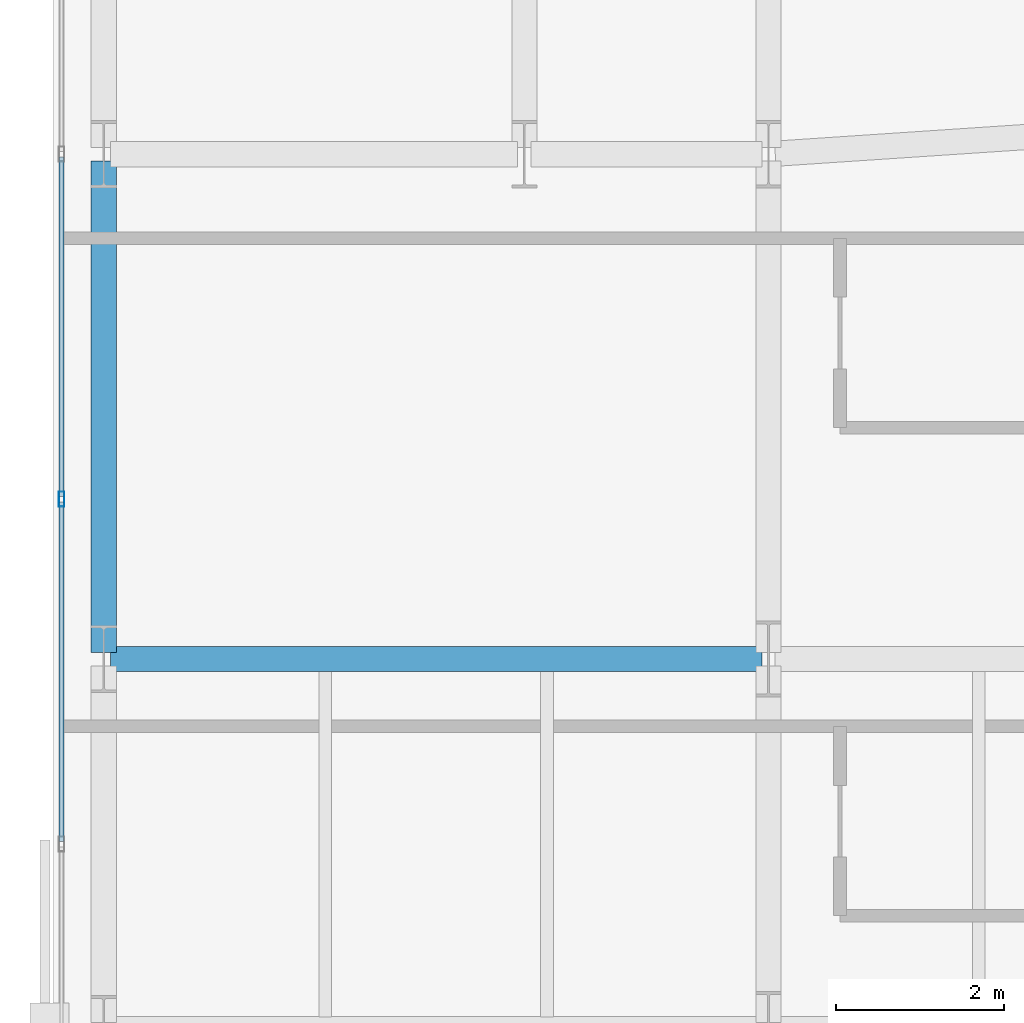
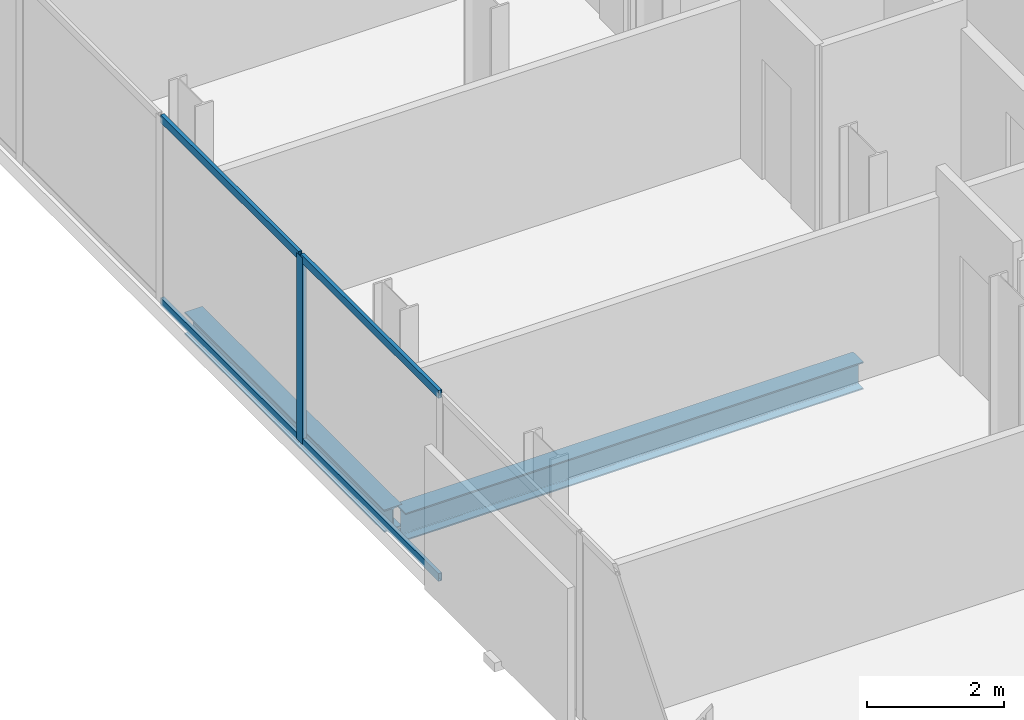
# One storey, part 9 of 33: 5 members, 2 beams, 1 element without a shape of its own.
"""IFC4 building model written with IfcOpenShell, lengths in metres."""

from ifc_helpers import new_model, si_unit, direction, frame, origin, origin_2d, place, context, subcontext, project, spatial, hollow_rectangle, i_section, extrude, material, layer, layer_set, material_profile, profile_set, type_object, element, aggregate, save


model = new_model("IFC4")

# Units and contexts
model_context = context("Model", 3, precision=1e-05, world=origin(), true_north=direction((0.0, 1.0)))
body_context = subcontext(model_context, "Body", "Model", "MODEL_VIEW")
ifc_project = project(units=[si_unit("LENGTHUNIT", "METRE"), si_unit("AREAUNIT", "SQUARE_METRE"), si_unit("VOLUMEUNIT", "CUBIC_METRE"), si_unit("PLANEANGLEUNIT", "RADIAN"), si_unit("MASSUNIT", "GRAM", prefix="KILO")], contexts=[model_context])

# Site, building, storey
site_placement = place(None, origin())
site = spatial("IfcSite", under=ifc_project, at=site_placement, CompositionType="ELEMENT")
building_placement = place(site_placement, origin())
building = spatial("IfcBuilding", under=site, at=building_placement, Name="Catumbela Crestline Tower", CompositionType="ELEMENT")
storey_placement = place(building_placement, frame((0.0, 0.0, 72.6)))
storey = spatial("IfcBuildingStorey", under=building, at=storey_placement, Name="L18", CompositionType="ELEMENT", Elevation=72.6)

# Beam
ifc_material_1 = material(Name="Structural steel S355J2", Category="steel")
ifc_material_profile_1 = material_profile(ifc_material_1, i_section(OverallWidth=0.3, OverallDepth=0.49, WebThickness=0.012, FlangeThickness=0.023, FilletRadius=0.027, at=origin_2d()), Name="HEA 500")
ifc_profile_set_1 = profile_set([ifc_material_profile_1], Name="Structural steel S355J2")
beam_type_1 = type_object("IfcBeamType", Name="BG-HEA500", PredefinedType="BEAM", material=ifc_profile_set_1)
beam_1_placement = place(storey_placement, frame((0.68, 18.0, -0.505), z_axis=(1.0, 0.0, 0.0), x_axis=(0.0, 1.0, 0.0)))
element("IfcBeam", 1, at=beam_1_placement, inside=storey, type_object=beam_type_1, Name="L18 Beam BM-L18-WEW54", PredefinedType="BEAM", context=body_context, shape_type="SweptSolid", body=[
    extrude(i_section(OverallWidth=0.3, OverallDepth=0.49, WebThickness=0.012, FlangeThickness=0.023, FilletRadius=0.027, at=origin_2d()), origin(), (0.0, 0.0, 1.0), 7.74),
])

# Curtain wall, member
ifc_material_2 = material(Name="Aluminium alloy AW-6060-T66", Category="aluminium")
ifc_layer = layer(ifc_material_2, 0.18, Name="Aluminium alloy AW-6060-T66")
ifc_layer_set = layer_set([ifc_layer], Name="Aluminium alloy AW-6060-T66")
curtain_wall_type = type_object("IfcCurtainWallType", Name="CWU-Z1", PredefinedType="USERDEFINED", material=ifc_layer_set)
curtain_wall_placement = place(storey_placement, origin())
curtain_wall = element("IfcCurtainWall", 2, at=curtain_wall_placement, inside=storey, type_object=curtain_wall_type, Name="L18 Unitised Curtain Wall CW-L18-E9S1", ObjectType="UNITISED", PredefinedType="USERDEFINED")
ifc_material_profile_2 = material_profile(ifc_material_2, hollow_rectangle(XDim=0.065, YDim=0.18, WallThickness=0.004, at=origin_2d()), Name="ALU 180x65x4")
ifc_profile_set_2 = profile_set([ifc_material_profile_2], Name="Aluminium alloy AW-6060-T66")
member_type_1 = type_object("IfcMemberType", Name="MUL-180X65", PredefinedType="MULLION", material=ifc_profile_set_2)
member_1_placement = place(storey_placement, frame((0.1, 19.9, 0.0), z_axis=(0.0, 0.0, 1.0), x_axis=(1.0, 0.0, 0.0)))
member_1 = element("IfcMember", 3, at=member_1_placement, type_object=member_type_1, Name="CWU-Z1 mullion 7", PredefinedType="MULLION", context=body_context, shape_type="SweptSolid", body=[
    extrude(hollow_rectangle(XDim=0.065, YDim=0.18, WallThickness=0.004, at=origin_2d()), origin(), (0.0, 0.0, 1.0), 3.33),
])

# Beam
ifc_material_profile_3 = material_profile(ifc_material_1, i_section(OverallWidth=0.3, OverallDepth=0.4, WebThickness=0.0135, FlangeThickness=0.024, FilletRadius=0.027, at=origin_2d()), Name="HEB 400")
ifc_profile_set_3 = profile_set([ifc_material_profile_3], Name="Structural steel S355J2")
beam_type_2 = type_object("IfcBeamType", Name="BS-HEB400", PredefinedType="SPANDREL", material=ifc_profile_set_3)
beam_2_placement = place(storey_placement, frame((0.6, 18.08, -0.46), z_axis=(0.0, 1.0, 0.0), x_axis=(-1.0, 0.0, 0.0)))
element("IfcBeam", 4, at=beam_2_placement, inside=storey, type_object=beam_type_2, Name="L18 Spandrel SP-L18-WNS60", PredefinedType="SPANDREL", context=body_context, shape_type="SweptSolid", body=[
    extrude(i_section(OverallWidth=0.3, OverallDepth=0.4, WebThickness=0.0135, FlangeThickness=0.024, FilletRadius=0.027, at=origin_2d()), origin(), (0.0, 0.0, 1.0), 5.84),
])

# Member
ifc_material_profile_4 = material_profile(ifc_material_2, hollow_rectangle(XDim=0.06, YDim=0.14, WallThickness=0.004, at=origin_2d()), Name="ALU 140x60x4")
ifc_profile_set_4 = profile_set([ifc_material_profile_4], Name="Aluminium alloy AW-6060-T66")
member_type_2 = type_object("IfcMemberType", Name="TRN-140X60", PredefinedType="USERDEFINED", material=ifc_profile_set_4)
member_2_placement = place(storey_placement, frame((0.1, 23.9675, 0.03), z_axis=(0.0, -1.0, 0.0), x_axis=(1.0, 0.0, 0.0)))
member_2 = element("IfcMember", 5, at=member_2_placement, type_object=member_type_2, Name="CWU-Z1 transom 6.1", ObjectType="TRANSOM", PredefinedType="USERDEFINED", context=body_context, shape_type="SweptSolid", body=[
    extrude(hollow_rectangle(XDim=0.06, YDim=0.14, WallThickness=0.004, at=origin_2d()), origin(), (0.0, 0.0, 1.0), 4.035),
])

member_3_placement = place(storey_placement, frame((0.1, 23.9675, 3.3), z_axis=(0.0, -1.0, 0.0), x_axis=(1.0, 0.0, 0.0)))
member_3 = element("IfcMember", 6, at=member_3_placement, type_object=member_type_2, Name="CWU-Z1 transom 6.2", ObjectType="TRANSOM", PredefinedType="USERDEFINED", context=body_context, shape_type="SweptSolid", body=[
    extrude(hollow_rectangle(XDim=0.06, YDim=0.14, WallThickness=0.004, at=origin_2d()), origin(), (0.0, 0.0, 1.0), 4.035),
])

member_4_placement = place(storey_placement, frame((0.1, 19.8675, 0.03), z_axis=(0.0, -1.0, 0.0), x_axis=(1.0, 0.0, 0.0)))
member_4 = element("IfcMember", 7, at=member_4_placement, type_object=member_type_2, Name="CWU-Z1 transom 7.1", ObjectType="TRANSOM", PredefinedType="USERDEFINED", context=body_context, shape_type="SweptSolid", body=[
    extrude(hollow_rectangle(XDim=0.06, YDim=0.14, WallThickness=0.004, at=origin_2d()), origin(), (0.0, 0.0, 1.0), 4.035),
])

member_5_placement = place(storey_placement, frame((0.1, 19.8675, 3.3), z_axis=(0.0, -1.0, 0.0), x_axis=(1.0, 0.0, 0.0)))
member_5 = element("IfcMember", 8, at=member_5_placement, type_object=member_type_2, Name="CWU-Z1 transom 7.2", ObjectType="TRANSOM", PredefinedType="USERDEFINED", context=body_context, shape_type="SweptSolid", body=[
    extrude(hollow_rectangle(XDim=0.06, YDim=0.14, WallThickness=0.004, at=origin_2d()), origin(), (0.0, 0.0, 1.0), 4.035),
])

aggregate(curtain_wall, [member_1, member_2, member_3, member_4, member_5])

save(model, "model.ifc")
